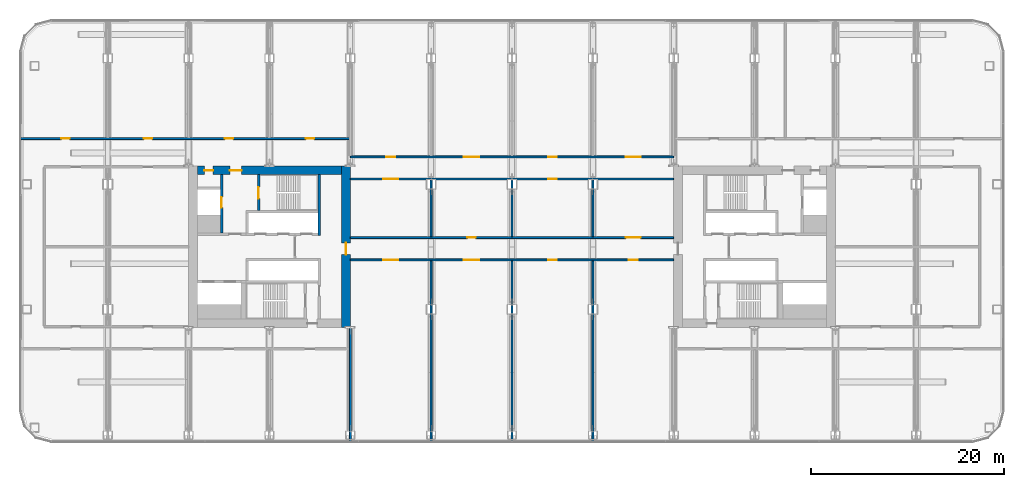
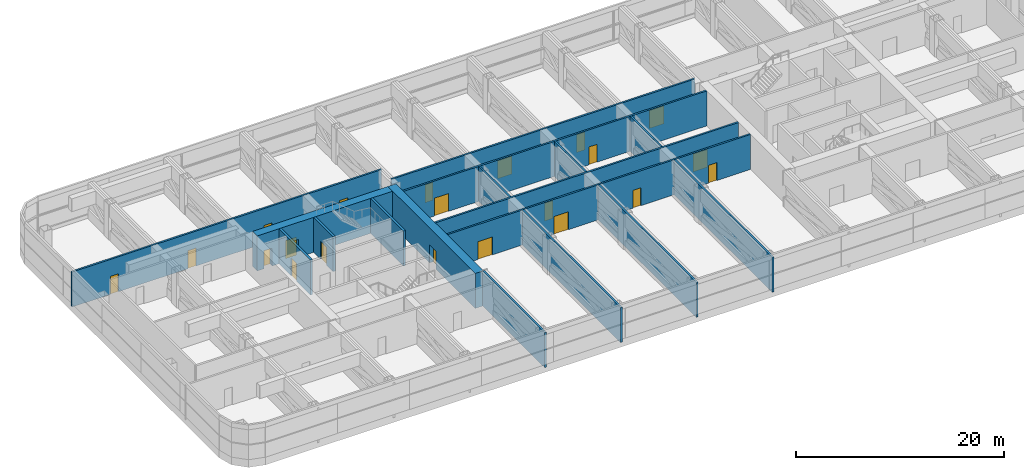
# One storey, part 17 of 30: 21 doors, 17 walls, 21 openings.
"""IFC4 building model written with IfcOpenShell, lengths in metres."""

from ifc_helpers import new_model, si_unit, direction, frame, frame_2d, origin, place, context, subcontext, project, spatial, rectangle, extrude, material, layer, layer_set, type_object, element, fill, save


model = new_model("IFC4")

# Units and contexts
model_context = context("Model", 3, precision=1e-05, world=origin(), true_north=direction((0.0, 1.0)))
body_context = subcontext(model_context, "Body", "Model", "MODEL_VIEW")
ifc_project = project(units=[si_unit("LENGTHUNIT", "METRE"), si_unit("AREAUNIT", "SQUARE_METRE"), si_unit("VOLUMEUNIT", "CUBIC_METRE"), si_unit("PLANEANGLEUNIT", "RADIAN"), si_unit("MASSUNIT", "GRAM", prefix="KILO")], contexts=[model_context])

# Site, building, storey
site_placement = place(None, origin())
site = spatial("IfcSite", under=ifc_project, at=site_placement, CompositionType="ELEMENT")
building_placement = place(site_placement, origin())
building = spatial("IfcBuilding", under=site, at=building_placement, Name="Hakoniwa Tower and Hamabe Station Hall", CompositionType="ELEMENT")
storey_placement = place(building_placement, frame((0.0, 0.0, 64.60009765625)))
storey = spatial("IfcBuildingStorey", under=building, at=storey_placement, Name="L18", CompositionType="ELEMENT", Elevation=64.60009765625)

# Wall, opening, door
ifc_material_1 = material(Name="Concrete C80", Category="concrete")
ifc_layer_1 = layer(ifc_material_1, 0.89990234375)
ifc_layer_set_1 = layer_set([ifc_layer_1], Name="CORE WALL 900 C80")
wall_type_1 = type_object("IfcWallType", Name="CORE WALL 900 C80", PredefinedType="SHEAR", material=ifc_layer_set_1)
wall_1_placement = place(storey_placement, frame((-17.25, -8.39990234375, 0.0), z_axis=(0.0, 0.0, 1.0), x_axis=(0.0, 1.0, 0.0)))
wall_1 = element("IfcWall", 1, at=wall_1_placement, inside=storey, type_object=wall_type_1, Name="Core wall INNER west", PredefinedType="SHEAR", context=body_context, shape_type="SweptSolid", body=[
    extrude(rectangle(XDim=16.7998046875, YDim=0.89990234375, at=frame_2d((8.39990234375, 0.0))), origin(), (0.0, 0.0, 1.0), 4.099853515625),
])
opening_1_placement = place(wall_1_placement, frame((7.60009765625, 0.0, 0.0)))
opening_1 = element("IfcOpeningElement", 2, at=opening_1_placement, cuts=wall_1, Name="Opening CD-W-IN1-12", PredefinedType="OPENING", context=body_context, shape_type="SweptSolid", body=[
    extrude(rectangle(XDim=1.199951171875, YDim=2.10009765625, at=frame_2d((0.60009765625, 1.050048828125))), frame((0.0, 0.4599609375, 0.0), z_axis=(0.0, -1.0, 0.0), x_axis=(1.0, 0.0, 0.0)), (0.0, 0.0, 1.0), 0.919921875),
])
ifc_material_2 = material(Name="Steel fire door", Category="steel")
door_type_1 = type_object("IfcDoorType", Name="CORE DOOR 1200 FD60", OperationType="DOUBLE_DOOR_SINGLE_SWING", PredefinedType="DOOR", material=ifc_material_2)
door_1_placement = place(opening_1_placement, origin())
door_1 = element("IfcDoor", 3, at=door_1_placement, inside=storey, type_object=door_type_1, Name="Lift lobby door", OperationType="DOUBLE_DOOR_SINGLE_SWING", OverallHeight=2.10009765625, OverallWidth=1.199951171875, PredefinedType="DOOR", context=body_context, shape_type="SweptSolid", body=[
    extrude(rectangle(XDim=1.199951171875, YDim=2.10009765625, at=frame_2d((0.60009765625, 1.050048828125))), frame((0.0, 0.02490234375, 0.0), z_axis=(0.0, -1.0, 0.0), x_axis=(1.0, 0.0, 0.0)), (0.0, 0.0, 1.0), 0.050048828125),
])
fill(opening_1, door_1)

# Wall, openings, doors
wall_2_placement = place(storey_placement, frame((-32.699951171875, 7.949951171875, 0.0), z_axis=(0.0, 0.0, 1.0), x_axis=(1.0, 0.0, 0.0)))
wall_2 = element("IfcWall", 4, at=wall_2_placement, inside=storey, type_object=wall_type_1, Name="Core wall NORTH west", PredefinedType="SHEAR", context=body_context, shape_type="SweptSolid", body=[
    extrude(rectangle(XDim=15.0, YDim=0.89990234375, at=frame_2d((7.5, 0.0))), origin(), (0.0, 0.0, 1.0), 4.099853515625),
])
opening_2_placement = place(wall_2_placement, frame((3.39990234375, 0.0, 0.0)))
opening_2 = element("IfcOpeningElement", 5, at=opening_2_placement, cuts=wall_2, Name="Opening CD-W-FN1-12", PredefinedType="OPENING", context=body_context, shape_type="SweptSolid", body=[
    extrude(rectangle(XDim=1.199951171875, YDim=2.10009765625, at=frame_2d((0.60009765625, 1.050048828125))), frame((0.0, 0.4599609375, 0.0), z_axis=(0.0, -1.0, 0.0), x_axis=(1.0, 0.0, 0.0)), (0.0, 0.0, 1.0), 0.919921875),
])
opening_3_placement = place(wall_2_placement, frame((0.75, 0.0, 0.0)))
opening_3 = element("IfcOpeningElement", 6, at=opening_3_placement, cuts=wall_2, Name="Opening CD-W-FN2-9", PredefinedType="OPENING", context=body_context, shape_type="SweptSolid", body=[
    extrude(rectangle(XDim=0.89990234375, YDim=2.10009765625, at=frame_2d((0.449951171875, 1.050048828125))), frame((0.0, 0.4599609375, 0.0), z_axis=(0.0, -1.0, 0.0), x_axis=(1.0, 0.0, 0.0)), (0.0, 0.0, 1.0), 0.919921875),
])
door_2_placement = place(opening_2_placement, origin())
door_2 = element("IfcDoor", 7, at=door_2_placement, inside=storey, type_object=door_type_1, Name="Stair vestibule door to the fire-fighting lobby", OperationType="DOUBLE_DOOR_SINGLE_SWING", OverallHeight=2.10009765625, OverallWidth=1.199951171875, PredefinedType="DOOR", context=body_context, shape_type="SweptSolid", body=[
    extrude(rectangle(XDim=1.199951171875, YDim=2.10009765625, at=frame_2d((0.60009765625, 1.050048828125))), frame((0.0, 0.02490234375, 0.0), z_axis=(0.0, -1.0, 0.0), x_axis=(1.0, 0.0, 0.0)), (0.0, 0.0, 1.0), 0.050048828125),
])
fill(opening_2, door_2)
ifc_material_3 = material(Name="Steel fire door", Category="steel")
door_type_2 = type_object("IfcDoorType", Name="CORE DOOR 900 FD30", OperationType="NOTDEFINED", PredefinedType="DOOR", material=ifc_material_3)
door_3_placement = place(opening_3_placement, origin())
door_3 = element("IfcDoor", 8, at=door_3_placement, inside=storey, type_object=door_type_2, Name="Riser access door", OperationType="SINGLE_SWING_RIGHT", OverallHeight=2.10009765625, OverallWidth=0.89990234375, PredefinedType="DOOR", context=body_context, shape_type="SweptSolid", body=[
    extrude(rectangle(XDim=0.89990234375, YDim=2.10009765625, at=frame_2d((0.449951171875, 1.050048828125))), frame((0.0, 0.02490234375, 0.0), z_axis=(0.0, -1.0, 0.0), x_axis=(1.0, 0.0, 0.0)), (0.0, 0.0, 1.0), 0.050048828125),
])
fill(opening_3, door_3)

# Wall
ifc_material_4 = material(Name="Concrete C80", Category="concrete")
ifc_layer_2 = layer(ifc_material_4, 0.25)
ifc_layer_set_2 = layer_set([ifc_layer_2], Name="CORE WEB WALL 250 C80")
wall_type_2 = type_object("IfcWallType", Name="CORE WEB WALL 250 C80", PredefinedType="SHEAR", material=ifc_layer_set_2)
wall_3_placement = place(storey_placement, frame((-20.02490234375, 1.199951171875, 0.0), z_axis=(0.0, 0.0, 1.0), x_axis=(0.0, 1.0, 0.0)))
element("IfcWall", 9, at=wall_3_placement, inside=storey, type_object=wall_type_2, Name="Core wall W1N west", PredefinedType="SHEAR", context=body_context, shape_type="SweptSolid", body=[
    extrude(rectangle(XDim=6.300048828125, YDim=0.25, at=frame_2d((3.14990234375, 0.0))), origin(), (0.0, 0.0, 1.0), 4.099853515625),
])

# Wall, opening, door
wall_4_placement = place(storey_placement, frame((-26.324951171875, 3.75, 0.0), z_axis=(0.0, 0.0, 1.0), x_axis=(0.0, 1.0, 0.0)))
wall_4 = element("IfcWall", 10, at=wall_4_placement, inside=storey, type_object=wall_type_2, Name="Core wall NSE west", PredefinedType="SHEAR", context=body_context, shape_type="SweptSolid", body=[
    extrude(rectangle(XDim=3.75, YDim=0.25, at=frame_2d((1.875, 0.0))), origin(), (0.0, 0.0, 1.0), 4.099853515625),
])
opening_4_placement = place(wall_4_placement, frame((1.25, 0.0, 0.0)))
opening_4 = element("IfcOpeningElement", 11, at=opening_4_placement, cuts=wall_4, Name="Opening CD-W-SN-12", PredefinedType="OPENING", context=body_context, shape_type="SweptSolid", body=[
    extrude(rectangle(XDim=1.199951171875, YDim=2.10009765625, at=frame_2d((0.60009765625, 1.050048828125))), frame((0.0, 0.135009765625, 0.0), z_axis=(0.0, -1.0, 0.0), x_axis=(1.0, 0.0, 0.0)), (0.0, 0.0, 1.0), 0.27001953125),
])
door_4_placement = place(opening_4_placement, origin())
door_4 = element("IfcDoor", 12, at=door_4_placement, inside=storey, type_object=door_type_1, Name="Escape stair door", OperationType="DOUBLE_DOOR_SINGLE_SWING", OverallHeight=2.10009765625, OverallWidth=1.199951171875, PredefinedType="DOOR", context=body_context, shape_type="SweptSolid", body=[
    extrude(rectangle(XDim=1.199951171875, YDim=2.10009765625, at=frame_2d((0.60009765625, 1.050048828125))), frame((0.0, 0.02490234375, 0.0), z_axis=(0.0, -1.0, 0.0), x_axis=(1.0, 0.0, 0.0)), (0.0, 0.0, 1.0), 0.050048828125),
])
fill(opening_4, door_4)

wall_5_placement = place(storey_placement, frame((-30.175048828125, 1.449951171875, 0.0), z_axis=(0.0, 0.0, 1.0), x_axis=(0.0, 1.0, 0.0)))
wall_5 = element("IfcWall", 13, at=wall_5_placement, inside=storey, type_object=wall_type_2, Name="Core wall FFF west", PredefinedType="SHEAR", context=body_context, shape_type="SweptSolid", body=[
    extrude(rectangle(XDim=6.050048828125, YDim=0.25, at=frame_2d((3.02490234375, 0.0))), origin(), (0.0, 0.0, 1.0), 4.099853515625),
])
opening_5_placement = place(wall_5_placement, frame((2.625, 0.0, 0.0)))
opening_5 = element("IfcOpeningElement", 14, at=opening_5_placement, cuts=wall_5, Name="Opening LD-FF1", PredefinedType="OPENING", context=body_context, shape_type="SweptSolid", body=[
    extrude(rectangle(XDim=1.10009765625, YDim=2.10009765625, at=frame_2d((0.550048828125, 1.050048828125))), frame((0.0, 0.135009765625, 0.0), z_axis=(0.0, -1.0, 0.0), x_axis=(1.0, 0.0, 0.0)), (0.0, 0.0, 1.0), 0.27001953125),
])
ifc_material_5 = material(Name="Stainless steel SUS304", Category="steel")
door_type_3 = type_object("IfcDoorType", Name="LIFT LANDING DOOR 1100 FD60", OperationType="DOUBLE_DOOR_SLIDING", PredefinedType="DOOR", material=ifc_material_5)
door_5_placement = place(opening_5_placement, origin())
door_5 = element("IfcDoor", 15, at=door_5_placement, inside=storey, type_object=door_type_3, Name="Lift landing door FF1 L18", OperationType="DOUBLE_DOOR_SLIDING", OverallHeight=2.10009765625, OverallWidth=1.10009765625, PredefinedType="DOOR", context=body_context, shape_type="SweptSolid", body=[
    extrude(rectangle(XDim=1.10009765625, YDim=2.10009765625, at=frame_2d((0.550048828125, 1.050048828125))), frame((0.0, 0.02490234375, 0.0), z_axis=(0.0, -1.0, 0.0), x_axis=(1.0, 0.0, 0.0)), (0.0, 0.0, 1.0), 0.050048828125),
])
fill(opening_5, door_5)

# Wall, openings, doors
ifc_material_6 = material(Name="Fire-rated gypsum board partition", Category="gypsum")
ifc_layer_3 = layer(ifc_material_6, 0.199951171875)
ifc_layer_set_3 = layer_set([ifc_layer_3], Name="Corridor Wall 200")
wall_type_3 = type_object("IfcWallType", Name="Corridor Wall 200", PredefinedType="PARTITIONING", material=ifc_layer_set_3)
wall_6_placement = place(storey_placement, frame((-16.800048828125, -1.35009765625, 0.0), z_axis=(0.0, 0.0, 1.0), x_axis=(1.0, 0.0, 0.0)))
wall_6 = element("IfcWall", 16, at=wall_6_placement, inside=storey, type_object=wall_type_3, Name="GW-L18-005", PredefinedType="PARTITIONING", context=body_context, shape_type="SweptSolid", body=[
    extrude(rectangle(XDim=33.60009765625, YDim=0.199951171875, at=frame_2d((16.800048828125, 0.0))), origin(), (0.0, 0.0, 1.0), 4.099853515625),
])
opening_6_placement = place(wall_6_placement, frame((3.39990234375, 0.0, 0.0)))
opening_6 = element("IfcOpeningElement", 17, at=opening_6_placement, cuts=wall_6, Name="Opening GD-SL18-13", PredefinedType="OPENING", context=body_context, shape_type="SweptSolid", body=[
    extrude(rectangle(XDim=1.60009765625, YDim=2.10009765625, at=frame_2d((0.800048828125, 1.050048828125))), frame((0.0, 0.10986328125, 0.0), z_axis=(0.0, -1.0, 0.0), x_axis=(1.0, 0.0, 0.0)), (0.0, 0.0, 1.0), 0.219970703125),
])
opening_7_placement = place(wall_6_placement, frame((11.800048828125, 0.0, 0.0)))
opening_7 = element("IfcOpeningElement", 18, at=opening_7_placement, cuts=wall_6, Name="Opening GD-SL18-14", PredefinedType="OPENING", context=body_context, shape_type="SweptSolid", body=[
    extrude(rectangle(XDim=1.60009765625, YDim=2.10009765625, at=frame_2d((0.800048828125, 1.050048828125))), frame((0.0, 0.10986328125, 0.0), z_axis=(0.0, -1.0, 0.0), x_axis=(1.0, 0.0, 0.0)), (0.0, 0.0, 1.0), 0.219970703125),
])
opening_8_placement = place(wall_6_placement, frame((20.550048828125, 0.0, 0.0)))
opening_8 = element("IfcOpeningElement", 19, at=opening_8_placement, cuts=wall_6, Name="Opening GD-SL18-15", PredefinedType="OPENING", context=body_context, shape_type="SweptSolid", body=[
    extrude(rectangle(XDim=0.89990234375, YDim=2.10009765625, at=frame_2d((0.449951171875, 1.050048828125))), frame((0.0, 0.10986328125, 0.0), z_axis=(0.0, -1.0, 0.0), x_axis=(1.0, 0.0, 0.0)), (0.0, 0.0, 1.0), 0.219970703125),
])
opening_9_placement = place(wall_6_placement, frame((28.949951171875, 0.0, 0.0)))
opening_9 = element("IfcOpeningElement", 20, at=opening_9_placement, cuts=wall_6, Name="Opening GD-SL18-16", PredefinedType="OPENING", context=body_context, shape_type="SweptSolid", body=[
    extrude(rectangle(XDim=0.89990234375, YDim=2.10009765625, at=frame_2d((0.449951171875, 1.050048828125))), frame((0.0, 0.10986328125, 0.0), z_axis=(0.0, -1.0, 0.0), x_axis=(1.0, 0.0, 0.0)), (0.0, 0.0, 1.0), 0.219970703125),
])
ifc_material_7 = material(Name="Timber door leaf", Category="wood")
door_type_4 = type_object("IfcDoorType", Name="Double Door 1600", OperationType="DOUBLE_DOOR_SINGLE_SWING", PredefinedType="DOOR", material=ifc_material_7)
door_6_placement = place(opening_6_placement, origin())
door_6 = element("IfcDoor", 21, at=door_6_placement, inside=storey, type_object=door_type_4, Name="Door GD-SL18-13", OperationType="DOUBLE_DOOR_SINGLE_SWING", OverallHeight=2.10009765625, OverallWidth=1.60009765625, PredefinedType="DOOR", context=body_context, shape_type="SweptSolid", body=[
    extrude(rectangle(XDim=1.60009765625, YDim=2.10009765625, at=frame_2d((0.800048828125, 1.050048828125))), frame((0.0, 0.02490234375, 0.0), z_axis=(0.0, -1.0, 0.0), x_axis=(1.0, 0.0, 0.0)), (0.0, 0.0, 1.0), 0.050048828125),
])
fill(opening_6, door_6)
door_7_placement = place(opening_7_placement, origin())
door_7 = element("IfcDoor", 22, at=door_7_placement, inside=storey, type_object=door_type_4, Name="Door GD-SL18-14", OperationType="DOUBLE_DOOR_SINGLE_SWING", OverallHeight=2.10009765625, OverallWidth=1.60009765625, PredefinedType="DOOR", context=body_context, shape_type="SweptSolid", body=[
    extrude(rectangle(XDim=1.60009765625, YDim=2.10009765625, at=frame_2d((0.800048828125, 1.050048828125))), frame((0.0, 0.02490234375, 0.0), z_axis=(0.0, -1.0, 0.0), x_axis=(1.0, 0.0, 0.0)), (0.0, 0.0, 1.0), 0.050048828125),
])
fill(opening_7, door_7)
ifc_material_8 = material(Name="Timber door leaf", Category="wood")
door_type_5 = type_object("IfcDoorType", Name="Service Door 900", OperationType="SINGLE_SWING_LEFT", PredefinedType="DOOR", material=ifc_material_8)
door_8_placement = place(opening_8_placement, origin())
door_8 = element("IfcDoor", 23, at=door_8_placement, inside=storey, type_object=door_type_5, Name="Door GD-SL18-15", OperationType="SINGLE_SWING_RIGHT", OverallHeight=2.10009765625, OverallWidth=0.89990234375, PredefinedType="DOOR", context=body_context, shape_type="SweptSolid", body=[
    extrude(rectangle(XDim=0.89990234375, YDim=2.10009765625, at=frame_2d((0.449951171875, 1.050048828125))), frame((0.0, 0.02490234375, 0.0), z_axis=(0.0, -1.0, 0.0), x_axis=(1.0, 0.0, 0.0)), (0.0, 0.0, 1.0), 0.050048828125),
])
fill(opening_8, door_8)
door_9_placement = place(opening_9_placement, origin())
door_9 = element("IfcDoor", 24, at=door_9_placement, inside=storey, type_object=door_type_5, Name="Door GD-SL18-16", OperationType="SINGLE_SWING_LEFT", OverallHeight=2.10009765625, OverallWidth=0.89990234375, PredefinedType="DOOR", context=body_context, shape_type="SweptSolid", body=[
    extrude(rectangle(XDim=0.89990234375, YDim=2.10009765625, at=frame_2d((0.449951171875, 1.050048828125))), frame((0.0, 0.02490234375, 0.0), z_axis=(0.0, -1.0, 0.0), x_axis=(1.0, 0.0, 0.0)), (0.0, 0.0, 1.0), 0.050048828125),
])
fill(opening_9, door_9)

wall_7_placement = place(storey_placement, frame((-16.800048828125, 0.949951171875, 0.0), z_axis=(0.0, 0.0, 1.0), x_axis=(1.0, 0.0, 0.0)))
wall_7 = element("IfcWall", 25, at=wall_7_placement, inside=storey, type_object=wall_type_3, Name="GW-L18-008", PredefinedType="PARTITIONING", context=body_context, shape_type="SweptSolid", body=[
    extrude(rectangle(XDim=33.60009765625, YDim=0.199951171875, at=frame_2d((16.800048828125, 0.0))), origin(), (0.0, 0.0, 1.0), 4.099853515625),
])
opening_10_placement = place(wall_7_placement, frame((12.14990234375, 0.0, 0.0)))
opening_10 = element("IfcOpeningElement", 26, at=opening_10_placement, cuts=wall_7, Name="Opening GD-SL18-17", PredefinedType="OPENING", context=body_context, shape_type="SweptSolid", body=[
    extrude(rectangle(XDim=0.89990234375, YDim=2.10009765625, at=frame_2d((0.449951171875, 1.050048828125))), frame((0.0, 0.10986328125, 0.0), z_axis=(0.0, -1.0, 0.0), x_axis=(1.0, 0.0, 0.0)), (0.0, 0.0, 1.0), 0.219970703125),
])
opening_11_placement = place(wall_7_placement, frame((28.60009765625, 0.0, 0.0)))
opening_11 = element("IfcOpeningElement", 27, at=opening_11_placement, cuts=wall_7, Name="Opening GD-SL18-18", PredefinedType="OPENING", context=body_context, shape_type="SweptSolid", body=[
    extrude(rectangle(XDim=1.60009765625, YDim=2.10009765625, at=frame_2d((0.800048828125, 1.050048828125))), frame((0.0, 0.10986328125, 0.0), z_axis=(0.0, -1.0, 0.0), x_axis=(1.0, 0.0, 0.0)), (0.0, 0.0, 1.0), 0.219970703125),
])
door_10_placement = place(opening_11_placement, origin())
door_10 = element("IfcDoor", 28, at=door_10_placement, inside=storey, type_object=door_type_4, Name="Door GD-SL18-18", OperationType="DOUBLE_DOOR_SINGLE_SWING", OverallHeight=2.10009765625, OverallWidth=1.60009765625, PredefinedType="DOOR", context=body_context, shape_type="SweptSolid", body=[
    extrude(rectangle(XDim=1.60009765625, YDim=2.10009765625, at=frame_2d((0.800048828125, 1.050048828125))), frame((0.0, 0.02490234375, 0.0), z_axis=(0.0, -1.0, 0.0), x_axis=(1.0, 0.0, 0.0)), (0.0, 0.0, 1.0), 0.050048828125),
])
fill(opening_11, door_10)
door_11_placement = place(opening_10_placement, origin())
door_11 = element("IfcDoor", 29, at=door_11_placement, inside=storey, type_object=door_type_5, Name="Door GD-SL18-17", OperationType="SINGLE_SWING_LEFT", OverallHeight=2.10009765625, OverallWidth=0.89990234375, PredefinedType="DOOR", context=body_context, shape_type="SweptSolid", body=[
    extrude(rectangle(XDim=0.89990234375, YDim=2.10009765625, at=frame_2d((0.449951171875, 1.050048828125))), frame((0.0, 0.02490234375, 0.0), z_axis=(0.0, -1.0, 0.0), x_axis=(1.0, 0.0, 0.0)), (0.0, 0.0, 1.0), 0.050048828125),
])
fill(opening_10, door_11)

wall_8_placement = place(storey_placement, frame((-16.800048828125, 7.050048828125, 0.0), z_axis=(0.0, 0.0, 1.0), x_axis=(1.0, 0.0, 0.0)))
wall_8 = element("IfcWall", 30, at=wall_8_placement, inside=storey, type_object=wall_type_3, Name="GW-L18-009", PredefinedType="PARTITIONING", context=body_context, shape_type="SweptSolid", body=[
    extrude(rectangle(XDim=33.60009765625, YDim=0.199951171875, at=frame_2d((16.800048828125, 0.0))), origin(), (0.0, 0.0, 1.0), 4.099853515625),
])
opening_12_placement = place(wall_8_placement, frame((3.39990234375, 0.0, 0.0)))
opening_12 = element("IfcOpeningElement", 31, at=opening_12_placement, cuts=wall_8, Name="Opening GD-SL18-19", PredefinedType="OPENING", context=body_context, shape_type="SweptSolid", body=[
    extrude(rectangle(XDim=1.60009765625, YDim=2.10009765625, at=frame_2d((0.800048828125, 1.050048828125))), frame((0.0, 0.10986328125, 0.0), z_axis=(0.0, -1.0, 0.0), x_axis=(1.0, 0.0, 0.0)), (0.0, 0.0, 1.0), 0.219970703125),
])
opening_13_placement = place(wall_8_placement, frame((20.550048828125, 0.0, 0.0)))
opening_13 = element("IfcOpeningElement", 32, at=opening_13_placement, cuts=wall_8, Name="Opening GD-SL18-20", PredefinedType="OPENING", context=body_context, shape_type="SweptSolid", body=[
    extrude(rectangle(XDim=0.89990234375, YDim=2.10009765625, at=frame_2d((0.449951171875, 1.050048828125))), frame((0.0, 0.10986328125, 0.0), z_axis=(0.0, -1.0, 0.0), x_axis=(1.0, 0.0, 0.0)), (0.0, 0.0, 1.0), 0.219970703125),
])
door_12_placement = place(opening_12_placement, origin())
door_12 = element("IfcDoor", 33, at=door_12_placement, inside=storey, type_object=door_type_4, Name="Door GD-SL18-19", OperationType="DOUBLE_DOOR_SINGLE_SWING", OverallHeight=2.10009765625, OverallWidth=1.60009765625, PredefinedType="DOOR", context=body_context, shape_type="SweptSolid", body=[
    extrude(rectangle(XDim=1.60009765625, YDim=2.10009765625, at=frame_2d((0.800048828125, 1.050048828125))), frame((0.0, 0.02490234375, 0.0), z_axis=(0.0, -1.0, 0.0), x_axis=(1.0, 0.0, 0.0)), (0.0, 0.0, 1.0), 0.050048828125),
])
fill(opening_12, door_12)
door_13_placement = place(opening_13_placement, origin())
door_13 = element("IfcDoor", 34, at=door_13_placement, inside=storey, type_object=door_type_5, Name="Door GD-SL18-20", OperationType="SINGLE_SWING_RIGHT", OverallHeight=2.10009765625, OverallWidth=0.89990234375, PredefinedType="DOOR", context=body_context, shape_type="SweptSolid", body=[
    extrude(rectangle(XDim=0.89990234375, YDim=2.10009765625, at=frame_2d((0.449951171875, 1.050048828125))), frame((0.0, 0.02490234375, 0.0), z_axis=(0.0, -1.0, 0.0), x_axis=(1.0, 0.0, 0.0)), (0.0, 0.0, 1.0), 0.050048828125),
])
fill(opening_13, door_13)

wall_9_placement = place(storey_placement, frame((-16.800048828125, 9.35009765625, 0.0), z_axis=(0.0, 0.0, 1.0), x_axis=(1.0, 0.0, 0.0)))
wall_9 = element("IfcWall", 35, at=wall_9_placement, inside=storey, type_object=wall_type_3, Name="GW-L18-012", PredefinedType="PARTITIONING", context=body_context, shape_type="SweptSolid", body=[
    extrude(rectangle(XDim=33.60009765625, YDim=0.199951171875, at=frame_2d((16.800048828125, 0.0))), origin(), (0.0, 0.0, 1.0), 4.099853515625),
])
opening_14_placement = place(wall_9_placement, frame((3.75, 0.0, 0.0)))
opening_14 = element("IfcOpeningElement", 36, at=opening_14_placement, cuts=wall_9, Name="Opening GD-SL18-25", PredefinedType="OPENING", context=body_context, shape_type="SweptSolid", body=[
    extrude(rectangle(XDim=0.89990234375, YDim=2.10009765625, at=frame_2d((0.449951171875, 1.050048828125))), frame((0.0, 0.10986328125, 0.0), z_axis=(0.0, -1.0, 0.0), x_axis=(1.0, 0.0, 0.0)), (0.0, 0.0, 1.0), 0.219970703125),
])
opening_15_placement = place(wall_9_placement, frame((11.800048828125, 0.0, 0.0)))
opening_15 = element("IfcOpeningElement", 37, at=opening_15_placement, cuts=wall_9, Name="Opening GD-SL18-26", PredefinedType="OPENING", context=body_context, shape_type="SweptSolid", body=[
    extrude(rectangle(XDim=1.60009765625, YDim=2.10009765625, at=frame_2d((0.800048828125, 1.050048828125))), frame((0.0, 0.10986328125, 0.0), z_axis=(0.0, -1.0, 0.0), x_axis=(1.0, 0.0, 0.0)), (0.0, 0.0, 1.0), 0.219970703125),
])
opening_16_placement = place(wall_9_placement, frame((20.550048828125, 0.0, 0.0)))
opening_16 = element("IfcOpeningElement", 38, at=opening_16_placement, cuts=wall_9, Name="Opening GD-SL18-27", PredefinedType="OPENING", context=body_context, shape_type="SweptSolid", body=[
    extrude(rectangle(XDim=0.89990234375, YDim=2.10009765625, at=frame_2d((0.449951171875, 1.050048828125))), frame((0.0, 0.10986328125, 0.0), z_axis=(0.0, -1.0, 0.0), x_axis=(1.0, 0.0, 0.0)), (0.0, 0.0, 1.0), 0.219970703125),
])
opening_17_placement = place(wall_9_placement, frame((28.60009765625, 0.0, 0.0)))
opening_17 = element("IfcOpeningElement", 39, at=opening_17_placement, cuts=wall_9, Name="Opening GD-SL18-28", PredefinedType="OPENING", context=body_context, shape_type="SweptSolid", body=[
    extrude(rectangle(XDim=1.60009765625, YDim=2.10009765625, at=frame_2d((0.800048828125, 1.050048828125))), frame((0.0, 0.10986328125, 0.0), z_axis=(0.0, -1.0, 0.0), x_axis=(1.0, 0.0, 0.0)), (0.0, 0.0, 1.0), 0.219970703125),
])
door_14_placement = place(opening_15_placement, origin())
door_14 = element("IfcDoor", 40, at=door_14_placement, inside=storey, type_object=door_type_4, Name="Door GD-SL18-26", OperationType="DOUBLE_DOOR_SINGLE_SWING", OverallHeight=2.10009765625, OverallWidth=1.60009765625, PredefinedType="DOOR", context=body_context, shape_type="SweptSolid", body=[
    extrude(rectangle(XDim=1.60009765625, YDim=2.10009765625, at=frame_2d((0.800048828125, 1.050048828125))), frame((0.0, 0.02490234375, 0.0), z_axis=(0.0, -1.0, 0.0), x_axis=(1.0, 0.0, 0.0)), (0.0, 0.0, 1.0), 0.050048828125),
])
fill(opening_15, door_14)
door_15_placement = place(opening_17_placement, origin())
door_15 = element("IfcDoor", 41, at=door_15_placement, inside=storey, type_object=door_type_4, Name="Door GD-SL18-28", OperationType="DOUBLE_DOOR_SINGLE_SWING", OverallHeight=2.10009765625, OverallWidth=1.60009765625, PredefinedType="DOOR", context=body_context, shape_type="SweptSolid", body=[
    extrude(rectangle(XDim=1.60009765625, YDim=2.10009765625, at=frame_2d((0.800048828125, 1.050048828125))), frame((0.0, 0.02490234375, 0.0), z_axis=(0.0, -1.0, 0.0), x_axis=(1.0, 0.0, 0.0)), (0.0, 0.0, 1.0), 0.050048828125),
])
fill(opening_17, door_15)
door_16_placement = place(opening_14_placement, origin())
door_16 = element("IfcDoor", 42, at=door_16_placement, inside=storey, type_object=door_type_5, Name="Door GD-SL18-25", OperationType="SINGLE_SWING_RIGHT", OverallHeight=2.10009765625, OverallWidth=0.89990234375, PredefinedType="DOOR", context=body_context, shape_type="SweptSolid", body=[
    extrude(rectangle(XDim=0.89990234375, YDim=2.10009765625, at=frame_2d((0.449951171875, 1.050048828125))), frame((0.0, 0.02490234375, 0.0), z_axis=(0.0, -1.0, 0.0), x_axis=(1.0, 0.0, 0.0)), (0.0, 0.0, 1.0), 0.050048828125),
])
fill(opening_14, door_16)
door_17_placement = place(opening_16_placement, origin())
door_17 = element("IfcDoor", 43, at=door_17_placement, inside=storey, type_object=door_type_5, Name="Door GD-SL18-27", OperationType="SINGLE_SWING_RIGHT", OverallHeight=2.10009765625, OverallWidth=0.89990234375, PredefinedType="DOOR", context=body_context, shape_type="SweptSolid", body=[
    extrude(rectangle(XDim=0.89990234375, YDim=2.10009765625, at=frame_2d((0.449951171875, 1.050048828125))), frame((0.0, 0.02490234375, 0.0), z_axis=(0.0, -1.0, 0.0), x_axis=(1.0, 0.0, 0.0)), (0.0, 0.0, 1.0), 0.050048828125),
])
fill(opening_16, door_17)

wall_10_placement = place(storey_placement, frame((-51.10009765625, 11.25, 0.0), z_axis=(0.0, 0.0, 1.0), x_axis=(1.0, 0.0, 0.0)))
wall_10 = element("IfcWall", 44, at=wall_10_placement, inside=storey, type_object=wall_type_3, Name="GW-L18-013", PredefinedType="PARTITIONING", context=body_context, shape_type="SweptSolid", body=[
    extrude(rectangle(XDim=34.300048828125, YDim=0.199951171875, at=frame_2d((17.14990234375, 0.0))), origin(), (0.0, 0.0, 1.0), 4.099853515625),
])
opening_18_placement = place(wall_10_placement, frame((4.25, 0.0, 0.0)))
opening_18 = element("IfcOpeningElement", 45, at=opening_18_placement, cuts=wall_10, Name="Opening GD-SL18-29", PredefinedType="OPENING", context=body_context, shape_type="SweptSolid", body=[
    extrude(rectangle(XDim=0.89990234375, YDim=2.10009765625, at=frame_2d((0.449951171875, 1.050048828125))), frame((0.0, 0.10986328125, 0.0), z_axis=(0.0, -1.0, 0.0), x_axis=(1.0, 0.0, 0.0)), (0.0, 0.0, 1.0), 0.219970703125),
])
opening_19_placement = place(wall_10_placement, frame((12.85009765625, 0.0, 0.0)))
opening_19 = element("IfcOpeningElement", 46, at=opening_19_placement, cuts=wall_10, Name="Opening GD-SL18-30", PredefinedType="OPENING", context=body_context, shape_type="SweptSolid", body=[
    extrude(rectangle(XDim=0.89990234375, YDim=2.10009765625, at=frame_2d((0.449951171875, 1.050048828125))), frame((0.0, 0.10986328125, 0.0), z_axis=(0.0, -1.0, 0.0), x_axis=(1.0, 0.0, 0.0)), (0.0, 0.0, 1.0), 0.219970703125),
])
opening_20_placement = place(wall_10_placement, frame((21.25, 0.0, 0.0)))
opening_20 = element("IfcOpeningElement", 47, at=opening_20_placement, cuts=wall_10, Name="Opening GD-SL18-31", PredefinedType="OPENING", context=body_context, shape_type="SweptSolid", body=[
    extrude(rectangle(XDim=0.89990234375, YDim=2.10009765625, at=frame_2d((0.449951171875, 1.050048828125))), frame((0.0, 0.10986328125, 0.0), z_axis=(0.0, -1.0, 0.0), x_axis=(1.0, 0.0, 0.0)), (0.0, 0.0, 1.0), 0.219970703125),
])
opening_21_placement = place(wall_10_placement, frame((29.64990234375, 0.0, 0.0)))
opening_21 = element("IfcOpeningElement", 48, at=opening_21_placement, cuts=wall_10, Name="Opening GD-SL18-32", PredefinedType="OPENING", context=body_context, shape_type="SweptSolid", body=[
    extrude(rectangle(XDim=0.89990234375, YDim=2.10009765625, at=frame_2d((0.449951171875, 1.050048828125))), frame((0.0, 0.10986328125, 0.0), z_axis=(0.0, -1.0, 0.0), x_axis=(1.0, 0.0, 0.0)), (0.0, 0.0, 1.0), 0.219970703125),
])
door_18_placement = place(opening_18_placement, origin())
door_18 = element("IfcDoor", 49, at=door_18_placement, inside=storey, type_object=door_type_5, Name="Door GD-SL18-29", OperationType="SINGLE_SWING_RIGHT", OverallHeight=2.10009765625, OverallWidth=0.89990234375, PredefinedType="DOOR", context=body_context, shape_type="SweptSolid", body=[
    extrude(rectangle(XDim=0.89990234375, YDim=2.10009765625, at=frame_2d((0.449951171875, 1.050048828125))), frame((0.0, 0.02490234375, 0.0), z_axis=(0.0, -1.0, 0.0), x_axis=(1.0, 0.0, 0.0)), (0.0, 0.0, 1.0), 0.050048828125),
])
fill(opening_18, door_18)
door_19_placement = place(opening_19_placement, origin())
door_19 = element("IfcDoor", 50, at=door_19_placement, inside=storey, type_object=door_type_5, Name="Door GD-SL18-30", OperationType="SINGLE_SWING_RIGHT", OverallHeight=2.10009765625, OverallWidth=0.89990234375, PredefinedType="DOOR", context=body_context, shape_type="SweptSolid", body=[
    extrude(rectangle(XDim=0.89990234375, YDim=2.10009765625, at=frame_2d((0.449951171875, 1.050048828125))), frame((0.0, 0.02490234375, 0.0), z_axis=(0.0, -1.0, 0.0), x_axis=(1.0, 0.0, 0.0)), (0.0, 0.0, 1.0), 0.050048828125),
])
fill(opening_19, door_19)
door_20_placement = place(opening_20_placement, origin())
door_20 = element("IfcDoor", 51, at=door_20_placement, inside=storey, type_object=door_type_5, Name="Door GD-SL18-31", OperationType="SINGLE_SWING_LEFT", OverallHeight=2.10009765625, OverallWidth=0.89990234375, PredefinedType="DOOR", context=body_context, shape_type="SweptSolid", body=[
    extrude(rectangle(XDim=0.89990234375, YDim=2.10009765625, at=frame_2d((0.449951171875, 1.050048828125))), frame((0.0, 0.02490234375, 0.0), z_axis=(0.0, -1.0, 0.0), x_axis=(1.0, 0.0, 0.0)), (0.0, 0.0, 1.0), 0.050048828125),
])
fill(opening_20, door_20)
door_21_placement = place(opening_21_placement, origin())
door_21 = element("IfcDoor", 52, at=door_21_placement, inside=storey, type_object=door_type_5, Name="Door GD-SL18-32", OperationType="SINGLE_SWING_RIGHT", OverallHeight=2.10009765625, OverallWidth=0.89990234375, PredefinedType="DOOR", context=body_context, shape_type="SweptSolid", body=[
    extrude(rectangle(XDim=0.89990234375, YDim=2.10009765625, at=frame_2d((0.449951171875, 1.050048828125))), frame((0.0, 0.02490234375, 0.0), z_axis=(0.0, -1.0, 0.0), x_axis=(1.0, 0.0, 0.0)), (0.0, 0.0, 1.0), 0.050048828125),
])
fill(opening_21, door_21)

# Walls
ifc_material_9 = material(Name="Fire-rated gypsum board partition", Category="gypsum")
ifc_layer_4 = layer(ifc_material_9, 0.199951171875)
ifc_layer_set_4 = layer_set([ifc_layer_4], Name="Party Wall 200")
wall_type_4 = type_object("IfcWallType", Name="Party Wall 200", PredefinedType="PARTITIONING", material=ifc_layer_set_4)
wall_11_placement = place(storey_placement, frame((-16.800048828125, -20.300048828125, 0.0), z_axis=(0.0, 0.0, 1.0), x_axis=(0.0, 1.0, 0.0)))
element("IfcWall", 53, at=wall_11_placement, inside=storey, type_object=wall_type_4, Name="GW-L18-023", PredefinedType="PARTITIONING", context=body_context, shape_type="SweptSolid", body=[
    extrude(rectangle(XDim=11.91015625, YDim=0.199951171875, at=frame_2d((5.955078125, 0.0))), origin(), (0.0, 0.0, 1.0), 4.099853515625),
])
wall_12_placement = place(storey_placement, frame((-8.39990234375, -20.300048828125, 0.0), z_axis=(0.0, 0.0, 1.0), x_axis=(0.0, 1.0, 0.0)))
element("IfcWall", 54, at=wall_12_placement, inside=storey, type_object=wall_type_4, Name="GW-L18-025", PredefinedType="PARTITIONING", context=body_context, shape_type="SweptSolid", body=[
    extrude(rectangle(XDim=18.85009765625, YDim=0.199951171875, at=frame_2d((9.425048828125, 0.0))), origin(), (0.0, 0.0, 1.0), 4.099853515625),
])
wall_13_placement = place(storey_placement, frame((-8.39990234375, 1.050048828125, 0.0), z_axis=(0.0, 0.0, 1.0), x_axis=(0.0, 1.0, 0.0)))
element("IfcWall", 55, at=wall_13_placement, inside=storey, type_object=wall_type_4, Name="GW-L18-026", PredefinedType="PARTITIONING", context=body_context, shape_type="SweptSolid", body=[
    extrude(rectangle(XDim=5.89990234375, YDim=0.199951171875, at=frame_2d((2.949951171875, 0.0))), origin(), (0.0, 0.0, 1.0), 4.099853515625),
])
wall_14_placement = place(storey_placement, frame((0.0, -20.300048828125, 0.0), z_axis=(0.0, 0.0, 1.0), x_axis=(0.0, 1.0, 0.0)))
element("IfcWall", 56, at=wall_14_placement, inside=storey, type_object=wall_type_4, Name="GW-L18-028", PredefinedType="PARTITIONING", context=body_context, shape_type="SweptSolid", body=[
    extrude(rectangle(XDim=18.85009765625, YDim=0.199951171875, at=frame_2d((9.425048828125, 0.0))), origin(), (0.0, 0.0, 1.0), 4.099853515625),
])
wall_15_placement = place(storey_placement, frame((0.0, 1.050048828125, 0.0), z_axis=(0.0, 0.0, 1.0), x_axis=(0.0, 1.0, 0.0)))
element("IfcWall", 57, at=wall_15_placement, inside=storey, type_object=wall_type_4, Name="GW-L18-029", PredefinedType="PARTITIONING", context=body_context, shape_type="SweptSolid", body=[
    extrude(rectangle(XDim=5.89990234375, YDim=0.199951171875, at=frame_2d((2.949951171875, 0.0))), origin(), (0.0, 0.0, 1.0), 4.099853515625),
])
wall_16_placement = place(storey_placement, frame((8.39990234375, -20.300048828125, 0.0), z_axis=(0.0, 0.0, 1.0), x_axis=(0.0, 1.0, 0.0)))
element("IfcWall", 58, at=wall_16_placement, inside=storey, type_object=wall_type_4, Name="GW-L18-031", PredefinedType="PARTITIONING", context=body_context, shape_type="SweptSolid", body=[
    extrude(rectangle(XDim=18.85009765625, YDim=0.199951171875, at=frame_2d((9.425048828125, 0.0))), origin(), (0.0, 0.0, 1.0), 4.099853515625),
])
wall_17_placement = place(storey_placement, frame((8.39990234375, 1.050048828125, 0.0), z_axis=(0.0, 0.0, 1.0), x_axis=(0.0, 1.0, 0.0)))
element("IfcWall", 59, at=wall_17_placement, inside=storey, type_object=wall_type_4, Name="GW-L18-032", PredefinedType="PARTITIONING", context=body_context, shape_type="SweptSolid", body=[
    extrude(rectangle(XDim=5.89990234375, YDim=0.199951171875, at=frame_2d((2.949951171875, 0.0))), origin(), (0.0, 0.0, 1.0), 4.099853515625),
])

save(model, "model.ifc")
